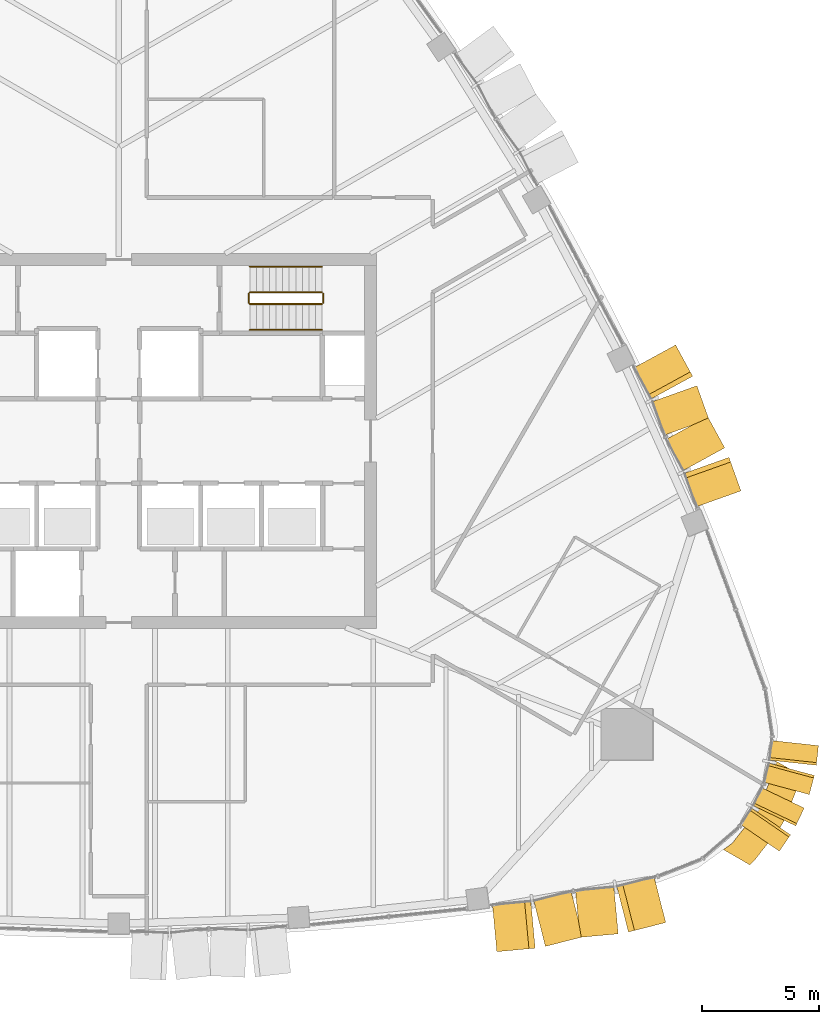
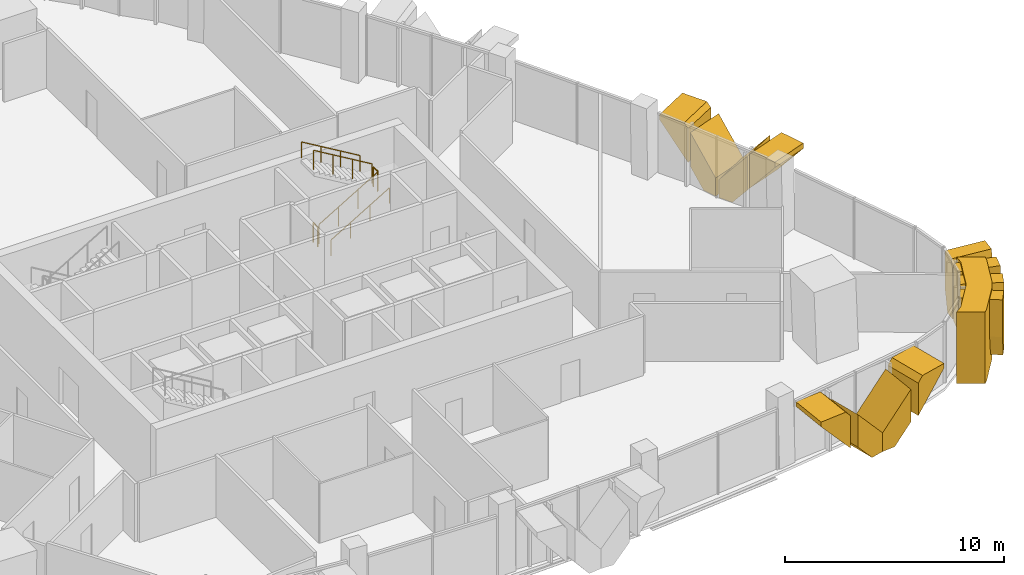
# One storey, part 16 of 18: 13 coverings, 6 railings.
"""IFC4 building model written with IfcOpenShell, lengths in metres."""

from ifc_helpers import new_model, si_unit, direction, frame, origin, origin_2d, place, context, subcontext, project, spatial, polyline, circle, outline, extrude, material, layer, layer_set, type_object, element, save


model = new_model("IFC4")

# Units and contexts
model_context = context("Model", 3, precision=1e-05, world=origin(), true_north=direction((0.0, 1.0)))
body_context = subcontext(model_context, "Body", "Model", "MODEL_VIEW")
ifc_project = project(units=[si_unit("LENGTHUNIT", "METRE"), si_unit("AREAUNIT", "SQUARE_METRE"), si_unit("VOLUMEUNIT", "CUBIC_METRE"), si_unit("PLANEANGLEUNIT", "RADIAN"), si_unit("MASSUNIT", "GRAM", prefix="KILO")], contexts=[model_context])

# Site, building, storey
site_placement = place(None, origin())
site = spatial("IfcSite", under=ifc_project, at=site_placement, CompositionType="ELEMENT")
building_placement = place(site_placement, origin())
building = spatial("IfcBuilding", under=site, at=building_placement, Name="Sierra Prisma Convention Tower", CompositionType="ELEMENT")
storey_placement = place(building_placement, frame((0.0, 0.0, 251.0)))
storey = spatial("IfcBuildingStorey", under=building, at=storey_placement, Name="L56", CompositionType="ELEMENT", Elevation=251.0)

# Coverings
ifc_material_1 = material(Name="Aluminium composite bronze anodised", Category="aluminium")
ifc_layer_1 = layer(ifc_material_1, 1.199951171875)
ifc_layer_set_1 = layer_set([ifc_layer_1], Name="Bronze corner pier")
covering_type_1 = type_object("IfcCoveringType", Name="Bronze corner pier", PredefinedType="CLADDING", material=ifc_layer_set_1)
covering_1_placement = place(storey_placement, frame((0.0, 0.0, -0.60009765625)))
element("IfcCovering", 1, at=covering_1_placement, inside=storey, type_object=covering_type_1, Name="Corner pier SE L56.1", PredefinedType="CLADDING", context=body_context, shape_type="SweptSolid", body=[
    extrude(outline(polyline([(29.08740234375, -14.54345703125), (28.414794921875, -16.21142578125), (28.2470703125, -16.502197265625), (27.138916015625, -17.918701171875), (26.950439453125, -18.10009765625), (25.821533203125, -17.448486328125), (26.193603515625, -17.17919921875), (27.302001953125, -15.7626953125), (27.974609375, -14.0947265625), (28.021484375, -13.637939453125), (29.150390625, -14.28955078125), (29.08740234375, -14.54345703125)])), origin(), (0.0, 0.0, 1.0), 4.0),
])
ifc_material_2 = material(Name="Aluminium 6063-T6 bronze anodised", Category="aluminium")
ifc_layer_2 = layer(ifc_material_2, 2.0)
ifc_layer_set_2 = layer_set([ifc_layer_2], Name="Bronze crystal chevron frame")
covering_type_2 = type_object("IfcCoveringType", Name="Bronze crystal chevron frame", PredefinedType="CLADDING", material=ifc_layer_set_2)
covering_2_placement = place(storey_placement, frame((16.1455078125, -21.807861328125, 3.280029296875), z_axis=(0.092325059411, -0.995728920404, -2.1808565e-05), x_axis=(-2.013477e-06, 2.1715419e-05, -0.999999999762)))
element("IfcCovering", 2, at=covering_2_placement, inside=storey, type_object=covering_type_2, Name="CW-2 chevron frame S6.1.1", PredefinedType="CLADDING", context=body_context, shape_type="SweptSolid", body=[
    extrude(outline(polyline([(0.0, 0.0), (0.25317382806479355, -1.0722328690218621e-22), (2.1120605465159095, 1.6447206510318573), (0.30102539069658585, 1.6447206510318573), (-9.817657042396e-10, 1.3781966842986073), (0.0, 0.0)])), origin(), (0.0, 0.0, -1.0), 2.0),
])
covering_3_placement = place(storey_placement, frame((18.22021484375, -21.58056640625, 2.83203125), z_axis=(0.246843656054, -0.969055317454, -3.4339121e-05), x_axis=(-8.476394e-06, 3.3276508e-05, -0.99999999941)))
element("IfcCovering", 3, at=covering_3_placement, inside=storey, type_object=covering_type_2, Name="CW-2 chevron frame S6.1.2", PredefinedType="CLADDING", context=body_context, shape_type="SweptSolid", body=[
    extrude(outline(polyline([(0.0, 0.0), (1.8110351551822361, -3.0680128919591796e-21), (2.8320312528172384, 0.9034783867692437), (2.832031249534203, 1.6446518838701463), (1.8588867188579568, 1.6446518838701463), (0.0, 0.0)])), origin(), (0.0, 0.0, -1.0), 2.0),
])
covering_4_placement = place(storey_placement, frame((19.691650390625, -21.195556640625, 0.0), z_axis=(0.092192753735, -0.995741179146, -1.7627883e-05), x_axis=(0.995741179301, 0.092192753749, -1.168e-09)))
element("IfcCovering", 4, at=covering_4_placement, inside=storey, type_object=covering_type_2, Name="CW-2 chevron frame S6.2.1", PredefinedType="CLADDING", context=body_context, shape_type="SweptSolid", body=[
    extrude(outline(polyline([(0.0, 0.0), (0.7409530798090808, 2.117582368135751e-22), (1.6446981264520601, 1.0209960958290394), (1.6446981243374335, 2.832031251797657), (-1.136276958121938e-09, 0.9731445310988015), (0.0, 0.0)])), origin(), (0.0, 0.0, -1.0), 2.0),
])
covering_5_placement = place(storey_placement, frame((23.35986328125, -20.562255859375, 3.280029296875), z_axis=(0.246998022419, -0.969015983302, 3.2040439e-05), x_axis=(-0.969015983799, -0.246998022546, 1.538e-09)))
element("IfcCovering", 5, at=covering_5_placement, inside=storey, type_object=covering_type_2, Name="CW-2 chevron frame S6.2.2", PredefinedType="CLADDING", context=body_context, shape_type="SweptSolid", body=[
    extrude(outline(polyline([(0.0, 0.0), (1.3781329772487416, 3.3881317890172014e-21), (1.644712170376442, 0.30102539330851785), (1.6447121675916911, 2.112060548628923), (-3.892944928004121e-10, 0.2531738279950472), (0.0, 0.0)])), origin(), (0.0, 0.0, -1.0), 2.0),
])
covering_6_placement = place(storey_placement, frame((28.209228515625, -17.513671875, 3.280029296875), z_axis=(0.824193870034, -0.566307746649, 2.6142592e-05), x_axis=(2.1546564e-05, -1.4804752e-05, -0.999999999658)))
element("IfcCovering", 6, at=covering_6_placement, inside=storey, type_object=covering_type_2, Name="CW-2 chevron frame SE3.1.1", PredefinedType="CLADDING", context=body_context, shape_type="SweptSolid", body=[
    extrude(outline(polyline([(0.0, 0.0), (2.077148436790202, 0.0), (3.280029298782901, 0.29126137973290556), (3.2800292964111755, 0.8436446296948799), (0.46215820362409143, 0.8436446296948799), (-7.859166194201637e-10, 0.7316365005058101), (0.0, 0.0)])), origin(), (0.0, 0.0, -1.0), 2.0),
])
covering_7_placement = place(storey_placement, frame((28.90869140625, -16.434326171875, 0.0), z_axis=(0.902506721477, -0.430675768384, -1.4705428e-05), x_axis=(0.430675768431, 0.902506721574, -2.589e-09)))
element("IfcCovering", 7, at=covering_7_placement, inside=storey, type_object=covering_type_2, Name="CW-2 chevron frame SE3.1.2", PredefinedType="CLADDING", context=body_context, shape_type="SweptSolid", body=[
    extrude(outline(polyline([(0.0, 0.0), (0.552342999000497, 4.235164736271502e-22), (0.843472043099444, 1.2028808617268467), (0.8434720377208897, 3.2800292990022553), (0.11171346865295327, 3.2800292965393902), (-7.296576625685024e-09, 2.817871093445318), (0.0, 0.0)])), origin(), (0.0, 0.0, -1.0), 2.0),
])
covering_8_placement = place(storey_placement, frame((29.486328125, -15.094970703125, 3.280029296875), z_axis=(0.965026396765, -0.262152729427, -1.26577e-06), x_axis=(-1.221502e-06, 3.31825e-07, -0.999999999999)))
element("IfcCovering", 8, at=covering_8_placement, inside=storey, type_object=covering_type_2, Name="CW-2 chevron frame SE4.1.1", PredefinedType="CLADDING", context=body_context, shape_type="SweptSolid", body=[
    extrude(outline(polyline([(0.0, 0.0), (2.077148437498336, -2.1992664536253623e-22), (3.280029296774884, 0.29121073901064554), (3.280029296861692, 0.8437190932796405), (0.462158203113949, 0.8437190932796405), (-1.1281126256393314e-10, 0.7316670861267341), (0.0, 0.0)])), origin(), (0.0, 0.0, -1.0), 2.0),
])
covering_9_placement = place(storey_placement, frame((29.789794921875, -13.84521484375, 0.0), z_axis=(0.994127856763, -0.108211849466, -6.525818e-06), x_axis=(0.108211849468, 0.994127856784, 5.56e-10)))
element("IfcCovering", 9, at=covering_9_placement, inside=storey, type_object=covering_type_2, Name="CW-2 chevron frame SE4.1.2", PredefinedType="CLADDING", context=body_context, shape_type="SweptSolid", body=[
    extrude(outline(polyline([(0.0, 0.0), (0.5523206672431011, 0.0), (0.843821911707372, 1.2028808588606412), (0.843821912863027, 3.2800292963164126), (0.1119953375590476, 3.2800292973192575), (1.5677680983864521e-09, 2.817871093689999), (0.0, 0.0)])), origin(), (0.0, 0.0, -1.0), 2.0),
])
covering_10_placement = place(storey_placement, frame((26.570556640625, -2.129150390625, 3.280029296875), z_axis=(0.941925664389, 0.335821433459, 8.7149843e-05), x_axis=(8.2088674e-05, 2.9266785e-05, -0.999999996202)))
element("IfcCovering", 10, at=covering_10_placement, inside=storey, type_object=covering_type_2, Name="CW-2 chevron frame NE2.1.1", PredefinedType="CLADDING", context=body_context, shape_type="SweptSolid", body=[
    extrude(outline(polyline([(0.0, 0.0), (0.2971191394966759, 0.0), (2.1452636656789523, 1.520937075460943), (0.2568359384753467, 1.520937075460943), (-1.6599436510250155e-08, 1.3095114013561784), (0.0, 0.0)])), origin(), (0.0, 0.0, -1.0), 2.0),
])
covering_11_placement = place(storey_placement, frame((25.878662109375, -0.2919921875, 2.865234375), z_axis=(0.877736529436, 0.479143594789, -2.1585619e-05), x_axis=(-1.8946486e-05, -1.0342611e-05, -0.999999999767)))
element("IfcCovering", 11, at=covering_11_placement, inside=storey, type_object=covering_type_2, Name="CW-2 chevron frame NE2.1.2", PredefinedType="CLADDING", context=body_context, shape_type="SweptSolid", body=[
    extrude(outline(polyline([(0.0, 0.0), (1.8884277339350541, 0.0), (2.865234376141414, 0.8038933504430712), (2.8652343747876206, 1.5209245544076497), (1.848144531274571, 1.5209245544076497), (0.0, 0.0)])), origin(), (0.0, 0.0, -1.0), 2.0),
])
covering_12_placement = place(storey_placement, frame((24.9599609375, 1.60498046875, 0.0), z_axis=(0.941932176893, 0.335803177592, 7.265171e-06), x_axis=(-0.213413336965, 0.598610415641, 0.772088283742)))
element("IfcCovering", 12, at=covering_12_placement, inside=storey, type_object=covering_type_2, Name="CW-2 chevron frame NE2.2.1", PredefinedType="CLADDING", context=body_context, shape_type="SweptSolid", body=[
    extrude(outline(polyline([(0.0, 0.0), (1.2651488972786056, -1.1102230246251565e-16), (2.7231818256836475, 1.2001246966274302), (0.32967232181679085, 1.1998982878454063), (-0.4556108300559182, 0.5535221422539554), (0.0, 0.0)])), origin(), (0.0, 0.0, -1.0), 2.0),
])
covering_13_placement = place(storey_placement, frame((23.7802734375, 4.101806640625, 3.280029296875), z_axis=(0.877799211684, 0.479028750141, 2.2473285e-05), x_axis=(0.479028750262, -0.877799211906, 8.43e-10)))
element("IfcCovering", 13, at=covering_13_placement, inside=storey, type_object=covering_type_2, Name="CW-2 chevron frame NE2.2.2", PredefinedType="CLADDING", context=body_context, shape_type="SweptSolid", body=[
    extrude(outline(polyline([(0.0, 0.0), (1.30940028053602, 0.0), (1.5208075880360954, 0.2568359388468781), (1.5208075864441755, 2.145263672745004), (-2.504675342527804e-10, 0.29711914054997013), (0.0, 0.0)])), origin(), (0.0, 0.0, -1.0), 2.0),
])

# Railings
ifc_material_3 = material(Name="Stainless steel", Category="steel")
railing_type_1 = type_object("IfcRailingType", Name="Exit stair handrail", PredefinedType="HANDRAIL", material=ifc_material_3)
railing_1_placement = place(storey_placement, frame((5.60009765625, 4.75, 0.166748046875)))
element("IfcRailing", 14, at=railing_1_placement, inside=storey, type_object=railing_type_1, Name="L56 S4 stair handrail 1", PredefinedType="HANDRAIL", context=body_context, shape_type="SweptSolid", body=[
    extrude(circle(Radius=0.02392578125, at=origin_2d()), frame((0.0, 0.0, 0.8759765625), z_axis=(0.859290745958, 0.0, 0.51148745235), x_axis=(0.0, 1.0, 0.0)), (0.0, 0.0, 1.0), 3.584228515625),
    extrude(circle(Radius=0.02099609375, at=origin_2d()), origin(), (0.0, 0.0, 1.0), 0.851806640625),
    extrude(circle(Radius=0.02099609375, at=origin_2d()), frame((1.026611328125, 0.0, 0.611083984375)), (0.0, 0.0, 1.0), 0.851806640625),
    extrude(circle(Radius=0.02099609375, at=origin_2d()), frame((2.05322265625, 0.0, 1.22216796875)), (0.0, 0.0, 1.0), 0.851806640625),
    extrude(circle(Radius=0.02099609375, at=origin_2d()), frame((3.079833984375, 0.0, 1.833251953125)), (0.0, 0.0, 1.0), 0.851806640625),
])
railing_2_placement = place(storey_placement, frame((8.679931640625, 7.449951171875, 2.166748046875)))
element("IfcRailing", 15, at=railing_2_placement, inside=storey, type_object=railing_type_1, Name="L56 S4 stair handrail 2", PredefinedType="HANDRAIL", context=body_context, shape_type="SweptSolid", body=[
    extrude(circle(Radius=0.02392578125, at=origin_2d()), frame((0.0, 0.0, 0.8759765625), z_axis=(-0.859290745958, 0.0, 0.51148745235), x_axis=(0.0, -1.0, 0.0)), (0.0, 0.0, 1.0), 3.584228515625),
    extrude(circle(Radius=0.02099609375, at=origin_2d()), origin(), (0.0, 0.0, 1.0), 0.851806640625),
    extrude(circle(Radius=0.02099609375, at=origin_2d()), frame((-1.026611328125, 0.0, 0.611083984375)), (0.0, 0.0, 1.0), 0.851806640625),
    extrude(circle(Radius=0.02099609375, at=origin_2d()), frame((-2.05322265625, 0.0, 1.22216796875)), (0.0, 0.0, 1.0), 0.851806640625),
    extrude(circle(Radius=0.02099609375, at=origin_2d()), frame((-3.079833984375, 0.0, 1.833251953125)), (0.0, 0.0, 1.0), 0.851806640625),
])
ifc_material_4 = material(Name="Stainless steel", Category="steel")
railing_type_2 = type_object("IfcRailingType", Name="Stair guard 1100", PredefinedType="GUARDRAIL", material=ifc_material_4)
railing_3_placement = place(storey_placement, frame((5.60009765625, 5.85009765625, 0.166748046875)))
element("IfcRailing", 16, at=railing_3_placement, inside=storey, type_object=railing_type_2, Name="L56 S4 stair guard 1", PredefinedType="GUARDRAIL", context=body_context, shape_type="SweptSolid", body=[
    extrude(circle(Radius=0.02392578125, at=origin_2d()), frame((0.0, 0.0, 1.076171875), z_axis=(0.859290745958, 0.0, 0.51148745235), x_axis=(0.0, 1.0, 0.0)), (0.0, 0.0, 1.0), 3.584228515625),
    extrude(circle(Radius=0.02099609375, at=origin_2d()), origin(), (0.0, 0.0, 1.0), 1.052001953125),
    extrude(circle(Radius=0.02099609375, at=origin_2d()), frame((1.026611328125, 0.0, 0.611083984375)), (0.0, 0.0, 1.0), 1.052001953125),
    extrude(circle(Radius=0.02099609375, at=origin_2d()), frame((2.05322265625, 0.0, 1.22216796875)), (0.0, 0.0, 1.0), 1.052001953125),
    extrude(circle(Radius=0.02099609375, at=origin_2d()), frame((3.079833984375, 0.0, 1.833251953125)), (0.0, 0.0, 1.0), 1.052001953125),
])
railing_4_placement = place(storey_placement, frame((8.72998046875, 5.89990234375, 2.0)))
element("IfcRailing", 17, at=railing_4_placement, inside=storey, type_object=railing_type_2, Name="L56 S4 stair guard 2", PredefinedType="GUARDRAIL", context=body_context, shape_type="SweptSolid", body=[
    extrude(circle(Radius=0.02392578125, at=origin_2d()), frame((0.0, 0.0, 1.076171875), z_axis=(0.0, 1.0, 0.0), x_axis=(-1.0, 0.0, 0.0)), (0.0, 0.0, 1.0), 0.400146484375),
    extrude(circle(Radius=0.02099609375, at=origin_2d()), origin(), (0.0, 0.0, 1.0), 1.052001953125),
    extrude(circle(Radius=0.02099609375, at=origin_2d()), frame((0.0, 0.400146484375, 0.0)), (0.0, 0.0, 1.0), 1.052001953125),
])
railing_5_placement = place(storey_placement, frame((8.679931640625, 6.35009765625, 2.166748046875)))
element("IfcRailing", 18, at=railing_5_placement, inside=storey, type_object=railing_type_2, Name="L56 S4 stair guard 3", PredefinedType="GUARDRAIL", context=body_context, shape_type="SweptSolid", body=[
    extrude(circle(Radius=0.02392578125, at=origin_2d()), frame((0.0, 0.0, 1.076171875), z_axis=(-0.859290745958, 0.0, 0.51148745235), x_axis=(0.0, -1.0, 0.0)), (0.0, 0.0, 1.0), 3.584228515625),
    extrude(circle(Radius=0.02099609375, at=origin_2d()), origin(), (0.0, 0.0, 1.0), 1.052001953125),
    extrude(circle(Radius=0.02099609375, at=origin_2d()), frame((-1.026611328125, 0.0, 0.611083984375)), (0.0, 0.0, 1.0), 1.052001953125),
    extrude(circle(Radius=0.02099609375, at=origin_2d()), frame((-2.05322265625, 0.0, 1.22216796875)), (0.0, 0.0, 1.0), 1.052001953125),
    extrude(circle(Radius=0.02099609375, at=origin_2d()), frame((-3.079833984375, 0.0, 1.833251953125)), (0.0, 0.0, 1.0), 1.052001953125),
])
railing_6_placement = place(storey_placement, frame((5.550048828125, 5.89990234375, 0.0)))
element("IfcRailing", 19, at=railing_6_placement, inside=storey, type_object=railing_type_2, Name="L56 S4 stair guard 4", PredefinedType="GUARDRAIL", context=body_context, shape_type="SweptSolid", body=[
    extrude(circle(Radius=0.02392578125, at=origin_2d()), frame((0.0, 0.0, 1.076171875), z_axis=(0.0, 1.0, 0.0), x_axis=(-1.0, 0.0, 0.0)), (0.0, 0.0, 1.0), 0.400146484375),
    extrude(circle(Radius=0.02099609375, at=origin_2d()), origin(), (0.0, 0.0, 1.0), 1.052001953125),
    extrude(circle(Radius=0.02099609375, at=origin_2d()), frame((0.0, 0.400146484375, 0.0)), (0.0, 0.0, 1.0), 1.052001953125),
])

save(model, "model.ifc")
